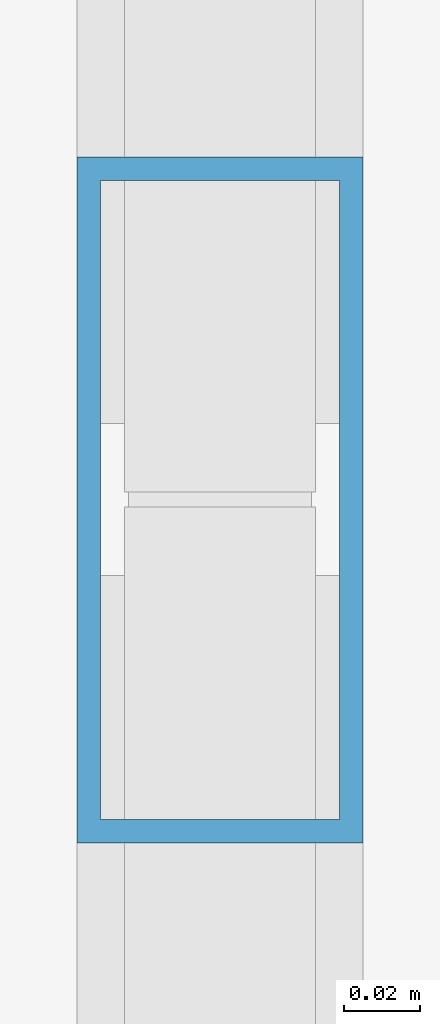
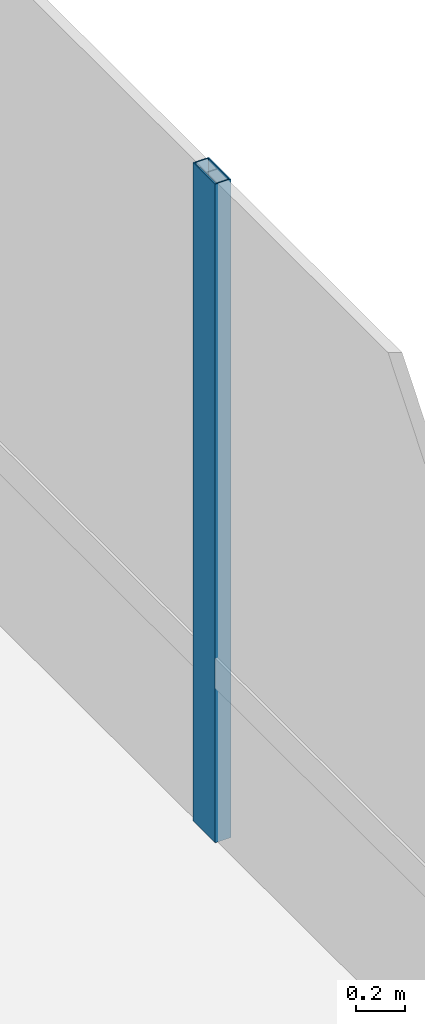
# One storey, part 17 of 47: 1 member, 1 element without a shape of its own.
"""IFC4 building model written with IfcOpenShell, lengths in metres."""

from ifc_helpers import new_model, si_unit, direction, frame, origin, origin_2d, place, context, subcontext, project, spatial, hollow_rectangle, extrude, material, material_profile, profile_set, type_object, element, aggregate, save


model = new_model("IFC4")

# Units and contexts
model_context = context("Model", 3, precision=1e-05, world=origin(), true_north=direction((0.0, 1.0)))
body_context = subcontext(model_context, "Body", "Model", "MODEL_VIEW")
ifc_project = project(units=[si_unit("LENGTHUNIT", "METRE"), si_unit("AREAUNIT", "SQUARE_METRE"), si_unit("VOLUMEUNIT", "CUBIC_METRE"), si_unit("PLANEANGLEUNIT", "RADIAN"), si_unit("MASSUNIT", "GRAM", prefix="KILO")], contexts=[model_context])

# Site, building, storey
site_placement = place(None, origin())
site = spatial("IfcSite", under=ifc_project, at=site_placement, CompositionType="ELEMENT")
building_placement = place(site_placement, origin())
building = spatial("IfcBuilding", under=site, at=building_placement, Name="Thornwick Lancets Civic Towers", CompositionType="ELEMENT")
storey_placement = place(building_placement, frame((0.0, 0.0, 279.89990234375)))
storey = spatial("IfcBuildingStorey", under=building, at=storey_placement, Name="C01", CompositionType="ELEMENT", Elevation=279.89990234375)

# Curtain wall, member
ifc_material_1 = material(Name="Crown ring acoustic-louvre and glazing screen wall", Category="glass")
curtain_wall_type = type_object("IfcCurtainWallType", Name="CW_SYS_07", PredefinedType="NOTDEFINED", material=ifc_material_1)
curtain_wall_placement = place(storey_placement, origin())
curtain_wall = element("IfcCurtainWall", 1, at=curtain_wall_placement, inside=storey, type_object=curtain_wall_type, Name="C01 Curtain Wall CW-C01-A-E2", PredefinedType="NOTDEFINED")
ifc_material_2 = material(Name="Thermally broken bronze aluminium S355", Category="steel")
ifc_material_profile = material_profile(ifc_material_2, hollow_rectangle(XDim=0.074951171875, YDim=0.179931640625, WallThickness=0.006103515625, at=origin_2d()), Name="RHS 180x75x6")
ifc_profile_set = profile_set([ifc_material_profile], Name="Thermally broken bronze aluminium S355")
member_type = type_object("IfcMemberType", Name="CW_MUL_180", PredefinedType="MULLION", material=ifc_profile_set)
member_placement = place(storey_placement, frame((49.2646484375, 30.03369140625, 0.0), z_axis=(0.0, 0.0, 1.0), x_axis=(1.0, 0.0, 0.0)))
member = element("IfcMember", 2, at=member_placement, type_object=member_type, Name="CW-C01-A-E2 Mullion 2", PredefinedType="MULLION", context=body_context, shape_type="SweptSolid", body=[
    extrude(hollow_rectangle(XDim=0.074951171875, YDim=0.179931640625, WallThickness=0.006103515625, at=origin_2d()), origin(), (0.0, 0.0, 1.0), 3.300048828125),
])
aggregate(curtain_wall, [member])

save(model, "model.ifc")
